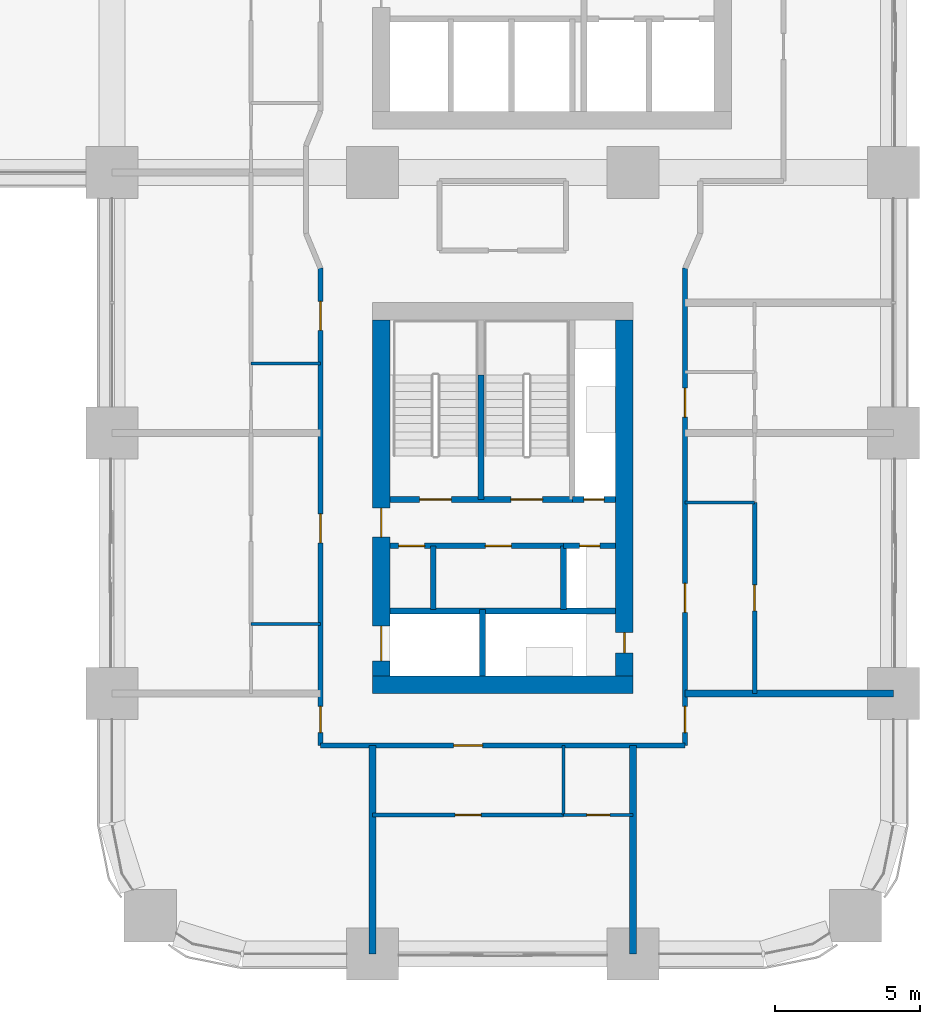
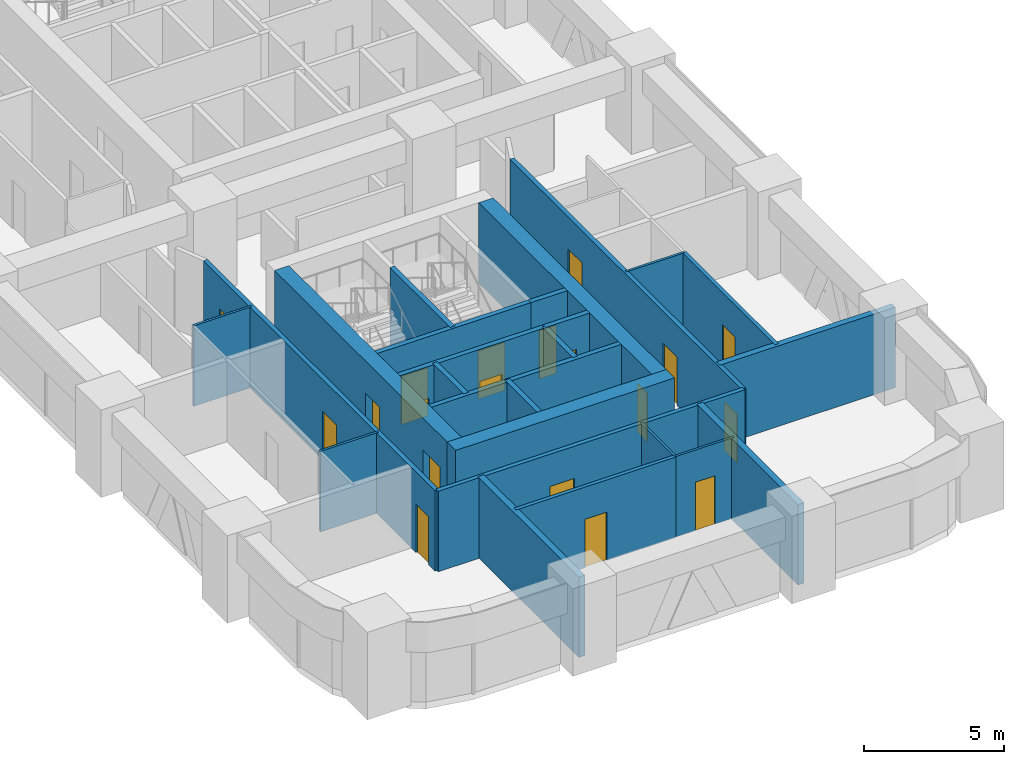
# One storey, part 12 of 26: 25 walls, 19 doors, 19 openings.
"""IFC4 building model written with IfcOpenShell, lengths in metres."""

from ifc_helpers import new_model, si_unit, direction, frame, frame_2d, origin, place, context, subcontext, project, spatial, rectangle, extrude, material, layer, layer_set, type_object, element, fill, save


model = new_model("IFC4")

# Units and contexts
model_context = context("Model", 3, precision=1e-05, world=origin(), true_north=direction((0.0, 1.0)))
body_context = subcontext(model_context, "Body", "Model", "MODEL_VIEW")
ifc_project = project(units=[si_unit("LENGTHUNIT", "METRE"), si_unit("AREAUNIT", "SQUARE_METRE"), si_unit("VOLUMEUNIT", "CUBIC_METRE"), si_unit("PLANEANGLEUNIT", "RADIAN"), si_unit("MASSUNIT", "GRAM", prefix="KILO")], contexts=[model_context])

# Site, building, storey
site_placement = place(None, origin())
site = spatial("IfcSite", under=ifc_project, at=site_placement, CompositionType="ELEMENT")
building_placement = place(site_placement, origin())
building = spatial("IfcBuilding", under=site, at=building_placement, Name="Tessera Arch", CompositionType="ELEMENT")
storey_placement = place(building_placement, frame((0.0, 0.0, 96.800048828125)))
storey = spatial("IfcBuildingStorey", under=building, at=storey_placement, Name="L22", CompositionType="ELEMENT", Elevation=96.800048828125)

# Wall
ifc_material_1 = material(Name="Gypsum board on steel stud", Category="steel")
ifc_layer_1 = layer(ifc_material_1, 0.125)
ifc_layer_set_1 = layer_set([ifc_layer_1], Name="Core partition 125 EI 60")
wall_type_1 = type_object("IfcWallType", Name="Core partition 125 EI 60", PredefinedType="PARTITIONING", material=ifc_layer_set_1)
wall_1_placement = place(storey_placement, frame((38.10009765625, 11.89990234375, 0.0), z_axis=(0.0, 0.0, 1.0), x_axis=(0.0, 1.0, 0.0)))
element("IfcWall", 1, at=wall_1_placement, inside=storey, type_object=wall_type_1, Name="L22 C3 partition wall 1", PredefinedType="PARTITIONING", context=body_context, shape_type="SweptSolid", body=[
    extrude(rectangle(XDim=2.2001953125, YDim=0.199951171875, at=frame_2d((1.10009765625, 0.0))), origin(), (0.0, 0.0, 1.0), 3.5),
])

# Wall, openings, doors
wall_2_placement = place(storey_placement, frame((36.60009765625, 14.10009765625, 0.0), z_axis=(0.0, 0.0, 1.0), x_axis=(1.0, 0.0, 0.0)))
wall_2 = element("IfcWall", 2, at=wall_2_placement, inside=storey, type_object=wall_type_1, Name="L22 C3 partition wall 9", PredefinedType="PARTITIONING", context=body_context, shape_type="SweptSolid", body=[
    extrude(rectangle(XDim=6.0, YDim=0.199951171875, at=frame_2d((3.0, 0.0))), origin(), (0.0, 0.0, 1.0), 3.5),
])
opening_1_placement = place(wall_2_placement, frame((0.300048828125, 0.0, 0.0)))
opening_1 = element("IfcOpeningElement", 3, at=opening_1_placement, cuts=wall_2, Name="Opening L22-C38", PredefinedType="OPENING", context=body_context, shape_type="SweptSolid", body=[
    extrude(rectangle(XDim=0.89990234375, YDim=2.10009765625, at=frame_2d((0.449951171875, 1.050048828125))), frame((0.0, 0.10986328125, 0.0), z_axis=(0.0, -1.0, 0.0), x_axis=(1.0, 0.0, 0.0)), (0.0, 0.0, 1.0), 0.219970703125),
])
opening_2_placement = place(wall_2_placement, frame((3.300048828125, 0.0, 0.0)))
opening_2 = element("IfcOpeningElement", 4, at=opening_2_placement, cuts=wall_2, Name="Opening L22-C39", PredefinedType="OPENING", context=body_context, shape_type="SweptSolid", body=[
    extrude(rectangle(XDim=0.89990234375, YDim=2.10009765625, at=frame_2d((0.449951171875, 1.050048828125))), frame((0.0, 0.10986328125, 0.0), z_axis=(0.0, -1.0, 0.0), x_axis=(1.0, 0.0, 0.0)), (0.0, 0.0, 1.0), 0.219970703125),
])
ifc_material_2 = material(Name="Steel door leaf", Category="steel")
door_type_1 = type_object("IfcDoorType", Name="Store door FD30S 900 x 2100", OperationType="SINGLE_SWING_LEFT", PredefinedType="DOOR", material=ifc_material_2)
door_1_placement = place(opening_1_placement, origin())
door_1 = element("IfcDoor", 5, at=door_1_placement, inside=storey, type_object=door_type_1, Name="L22 C3 door 8 C38 type D09", OperationType="SINGLE_SWING_LEFT", OverallHeight=2.10009765625, OverallWidth=0.89990234375, PredefinedType="DOOR", context=body_context, shape_type="SweptSolid", body=[
    extrude(rectangle(XDim=0.89990234375, YDim=2.10009765625, at=frame_2d((0.449951171875, 1.050048828125))), frame((0.0, 0.02490234375, 0.0), z_axis=(0.0, -1.0, 0.0), x_axis=(1.0, 0.0, 0.0)), (0.0, 0.0, 1.0), 0.050048828125),
])
fill(opening_1, door_1)
door_2_placement = place(opening_2_placement, origin())
door_2 = element("IfcDoor", 6, at=door_2_placement, inside=storey, type_object=door_type_1, Name="L22 C3 door 9 C39 type D09", OperationType="SINGLE_SWING_RIGHT", OverallHeight=2.10009765625, OverallWidth=0.89990234375, PredefinedType="DOOR", context=body_context, shape_type="SweptSolid", body=[
    extrude(rectangle(XDim=0.89990234375, YDim=2.10009765625, at=frame_2d((0.449951171875, 1.050048828125))), frame((0.0, 0.02490234375, 0.0), z_axis=(0.0, -1.0, 0.0), x_axis=(1.0, 0.0, 0.0)), (0.0, 0.0, 1.0), 0.050048828125),
])
fill(opening_2, door_2)

# Wall
ifc_material_3 = material(Name="Concrete C70/85", Category="concrete")
ifc_layer_2 = layer(ifc_material_3, 0.60009765625)
ifc_layer_set_2 = layer_set([ifc_layer_2], Name="Core shell wall 600 C70-85")
wall_type_2 = type_object("IfcWallType", Name="Core shell wall 600 C70-85", PredefinedType="SHEAR", material=ifc_layer_set_2)
wall_3_placement = place(storey_placement, frame((36.0, 9.300048828125, 0.0), z_axis=(0.0, 0.0, 1.0), x_axis=(1.0, 0.0, 0.0)))
element("IfcWall", 7, at=wall_3_placement, inside=storey, type_object=wall_type_2, Name="L22 C3 core wall S", PredefinedType="SHEAR", context=body_context, shape_type="SweptSolid", body=[
    extrude(rectangle(XDim=9.0, YDim=0.60009765625, at=frame_2d((4.5, 0.0))), origin(), (0.0, 0.0, 1.0), 3.5),
])

# Wall, openings, doors
wall_4_placement = place(storey_placement, frame((36.300048828125, 9.60009765625, 0.0), z_axis=(0.0, 0.0, 1.0), x_axis=(0.0, 1.0, 0.0)))
wall_4 = element("IfcWall", 8, at=wall_4_placement, inside=storey, type_object=wall_type_2, Name="L22 C3 core wall W", PredefinedType="SHEAR", context=body_context, shape_type="SweptSolid", body=[
    extrude(rectangle(XDim=12.2998046875, YDim=0.60009765625, at=frame_2d((6.14990234375, 0.0))), origin(), (0.0, 0.0, 1.0), 3.5),
])
opening_3_placement = place(wall_4_placement, frame((0.52490234375, 0.0, 0.0)))
opening_3 = element("IfcOpeningElement", 9, at=opening_3_placement, cuts=wall_4, Name="Opening L22-C31", PredefinedType="OPENING", context=body_context, shape_type="SweptSolid", body=[
    extrude(rectangle(XDim=1.199951171875, YDim=2.10009765625, at=frame_2d((0.60009765625, 1.050048828125))), frame((0.0, 0.31005859375, 0.0), z_axis=(0.0, -1.0, 0.0), x_axis=(1.0, 0.0, 0.0)), (0.0, 0.0, 1.0), 0.6201171875),
])
opening_4_placement = place(wall_4_placement, frame((4.800048828125, 0.0, 0.0)))
opening_4 = element("IfcOpeningElement", 10, at=opening_4_placement, cuts=wall_4, Name="Opening L22-C37", PredefinedType="OPENING", context=body_context, shape_type="SweptSolid", body=[
    extrude(rectangle(XDim=1.0, YDim=2.10009765625, at=frame_2d((0.5, 1.050048828125))), frame((0.0, 0.31005859375, 0.0), z_axis=(0.0, -1.0, 0.0), x_axis=(1.0, 0.0, 0.0)), (0.0, 0.0, 1.0), 0.6201171875),
])
ifc_material_4 = material(Name="Steel door leaf", Category="steel")
door_type_2 = type_object("IfcDoorType", Name="Corridor door FD60 1000 x 2100", OperationType="SINGLE_SWING_LEFT", PredefinedType="DOOR", material=ifc_material_4)
door_3_placement = place(opening_4_placement, origin())
door_3 = element("IfcDoor", 11, at=door_3_placement, inside=storey, type_object=door_type_2, Name="L22 C3 door 7 C37 type D12", OperationType="SINGLE_SWING_LEFT", OverallHeight=2.10009765625, OverallWidth=1.0, PredefinedType="DOOR", context=body_context, shape_type="SweptSolid", body=[
    extrude(rectangle(XDim=1.0, YDim=2.10009765625, at=frame_2d((0.5, 1.050048828125))), frame((0.0, 0.02490234375, 0.0), z_axis=(0.0, -1.0, 0.0), x_axis=(1.0, 0.0, 0.0)), (0.0, 0.0, 1.0), 0.050048828125),
])
fill(opening_4, door_3)
ifc_material_5 = material(Name="Stainless steel AISI 304", Category="steel")
door_type_3 = type_object("IfcDoorType", Name="Sliding landing door 1200 x 2100", OperationType="SLIDING_TO_LEFT", PredefinedType="DOOR", material=ifc_material_5)
door_4_placement = place(opening_3_placement, origin())
door_4 = element("IfcDoor", 12, at=door_4_placement, inside=storey, type_object=door_type_3, Name="L22 SV1 lift landing door C31 type LD", OperationType="SLIDING_TO_LEFT", OverallHeight=2.10009765625, OverallWidth=1.199951171875, PredefinedType="DOOR", context=body_context, shape_type="SweptSolid", body=[
    extrude(rectangle(XDim=1.199951171875, YDim=2.10009765625, at=frame_2d((0.60009765625, 1.050048828125))), frame((0.0, 0.02490234375, 0.0), z_axis=(0.0, -1.0, 0.0), x_axis=(1.0, 0.0, 0.0)), (0.0, 0.0, 1.0), 0.050048828125),
])
fill(opening_3, door_4)

# Wall, opening, door
wall_5_placement = place(storey_placement, frame((44.699951171875, 9.60009765625, 0.0), z_axis=(0.0, 0.0, 1.0), x_axis=(0.0, 1.0, 0.0)))
wall_5 = element("IfcWall", 13, at=wall_5_placement, inside=storey, type_object=wall_type_2, Name="L22 C3 core wall E", PredefinedType="SHEAR", context=body_context, shape_type="SweptSolid", body=[
    extrude(rectangle(XDim=12.2998046875, YDim=0.60009765625, at=frame_2d((6.14990234375, 0.0))), origin(), (0.0, 0.0, 1.0), 3.5),
])
opening_5_placement = place(wall_5_placement, frame((0.800048828125, 0.0, 0.0)))
opening_5 = element("IfcOpeningElement", 14, at=opening_5_placement, cuts=wall_5, Name="Opening L22-C36", PredefinedType="OPENING", context=body_context, shape_type="SweptSolid", body=[
    extrude(rectangle(XDim=0.699951171875, YDim=2.10009765625, at=frame_2d((0.35009765625, 1.050048828125))), frame((0.0, 0.31005859375, 0.0), z_axis=(0.0, -1.0, 0.0), x_axis=(1.0, 0.0, 0.0)), (0.0, 0.0, 1.0), 0.6201171875),
])
ifc_material_6 = material(Name="Steel door leaf", Category="steel")
door_type_4 = type_object("IfcDoorType", Name="Service shaft door FD60 700 x 2100", OperationType="SINGLE_SWING_LEFT", PredefinedType="DOOR", material=ifc_material_6)
door_5_placement = place(opening_5_placement, origin())
door_5 = element("IfcDoor", 15, at=door_5_placement, inside=storey, type_object=door_type_4, Name="L22 C3 door 6 C36 type D07", OperationType="SINGLE_SWING_LEFT", OverallHeight=2.10009765625, OverallWidth=0.699951171875, PredefinedType="DOOR", context=body_context, shape_type="SweptSolid", body=[
    extrude(rectangle(XDim=0.699951171875, YDim=2.10009765625, at=frame_2d((0.35009765625, 1.050048828125))), frame((0.0, 0.02490234375, 0.0), z_axis=(0.0, -1.0, 0.0), x_axis=(1.0, 0.0, 0.0)), (0.0, 0.0, 1.0), 0.050048828125),
])
fill(opening_5, door_5)

ifc_material_7 = material(Name="Gypsum board on deep steel stud with mineral wool", Category="steel")
ifc_layer_3 = layer(ifc_material_7, 0.175048828125)
ifc_layer_set_3 = layer_set([ifc_layer_3], Name="Corridor wall 175 EI 60")
wall_type_3 = type_object("IfcWallType", Name="Corridor wall 175 EI 60", PredefinedType="PARTITIONING", material=ifc_layer_set_3)
wall_6_placement = place(storey_placement, frame((34.199951171875, 7.199951171875, 0.0), z_axis=(0.0, 0.0, 1.0), x_axis=(1.0, 0.0, 0.0)))
wall_6 = element("IfcWall", 16, at=wall_6_placement, inside=storey, type_object=wall_type_3, Name="L22 partition 1", PredefinedType="PARTITIONING", context=body_context, shape_type="SweptSolid", body=[
    extrude(rectangle(XDim=12.60009765625, YDim=0.175048828125, at=frame_2d((6.300048828125, 0.0))), origin(), (0.0, 0.0, 1.0), 3.5),
])
opening_6_placement = place(wall_6_placement, frame((4.60009765625, 0.0, 0.0)))
opening_6 = element("IfcOpeningElement", 17, at=opening_6_placement, cuts=wall_6, Name="Opening L22-D001", PredefinedType="OPENING", context=body_context, shape_type="SweptSolid", body=[
    extrude(rectangle(XDim=1.0, YDim=2.10009765625, at=frame_2d((0.5, 1.050048828125))), frame((0.0, 0.097412109375, 0.0), z_axis=(0.0, -1.0, 0.0), x_axis=(1.0, 0.0, 0.0)), (0.0, 0.0, 1.0), 0.195068359375),
])
ifc_material_8 = material(Name="Fire-rated door leaf")
door_type_5 = type_object("IfcDoorType", Name="Entrance door FD30S 1000 x 2100", OperationType="SINGLE_SWING_LEFT", PredefinedType="DOOR", material=ifc_material_8)
door_6_placement = place(opening_6_placement, origin())
door_6 = element("IfcDoor", 18, at=door_6_placement, inside=storey, type_object=door_type_5, Name="L22 door D001 type D03", OperationType="SINGLE_SWING_RIGHT", OverallHeight=2.10009765625, OverallWidth=1.0, PredefinedType="DOOR", context=body_context, shape_type="SweptSolid", body=[
    extrude(rectangle(XDim=1.0, YDim=2.10009765625, at=frame_2d((0.5, 1.050048828125))), frame((0.0, 0.02490234375, 0.0), z_axis=(0.0, -1.0, 0.0), x_axis=(1.0, 0.0, 0.0)), (0.0, 0.0, 1.0), 0.050048828125),
])
fill(opening_6, door_6)

# Wall, openings, doors
wall_7_placement = place(storey_placement, frame((34.199951171875, 7.199951171875, 0.0), z_axis=(0.0, 0.0, 1.0), x_axis=(0.0, 1.0, 0.0)))
wall_7 = element("IfcWall", 19, at=wall_7_placement, inside=storey, type_object=wall_type_3, Name="L22 partition 12", PredefinedType="PARTITIONING", context=body_context, shape_type="SweptSolid", body=[
    extrude(rectangle(XDim=16.489990234375, YDim=0.175048828125, at=frame_2d((8.2451171875, 0.0))), origin(), (0.0, 0.0, 1.0), 3.5),
])
opening_7_placement = place(wall_7_placement, frame((0.449951171875, 0.0, 0.0)))
opening_7 = element("IfcOpeningElement", 20, at=opening_7_placement, cuts=wall_7, Name="Opening L22-D004", PredefinedType="OPENING", context=body_context, shape_type="SweptSolid", body=[
    extrude(rectangle(XDim=0.89990234375, YDim=2.10009765625, at=frame_2d((0.449951171875, 1.050048828125))), frame((0.0, 0.097412109375, 0.0), z_axis=(0.0, -1.0, 0.0), x_axis=(1.0, 0.0, 0.0)), (0.0, 0.0, 1.0), 0.195068359375),
])
opening_8_placement = place(wall_7_placement, frame((7.0, 0.0, 0.0)))
opening_8 = element("IfcOpeningElement", 21, at=opening_8_placement, cuts=wall_7, Name="Opening L22-D006", PredefinedType="OPENING", context=body_context, shape_type="SweptSolid", body=[
    extrude(rectangle(XDim=1.0, YDim=2.10009765625, at=frame_2d((0.5, 1.050048828125))), frame((0.0, 0.097412109375, 0.0), z_axis=(0.0, -1.0, 0.0), x_axis=(1.0, 0.0, 0.0)), (0.0, 0.0, 1.0), 0.195068359375),
])
opening_9_placement = place(wall_7_placement, frame((14.344970703125, 0.0, 0.0)))
opening_9 = element("IfcOpeningElement", 22, at=opening_9_placement, cuts=wall_7, Name="Opening L22-D015", PredefinedType="OPENING", context=body_context, shape_type="SweptSolid", body=[
    extrude(rectangle(XDim=1.0, YDim=2.10009765625, at=frame_2d((0.5, 1.050048828125))), frame((0.0, 0.097412109375, 0.0), z_axis=(0.0, -1.0, 0.0), x_axis=(1.0, 0.0, 0.0)), (0.0, 0.0, 1.0), 0.195068359375),
])
door_7_placement = place(opening_8_placement, origin())
door_7 = element("IfcDoor", 23, at=door_7_placement, inside=storey, type_object=door_type_5, Name="L22 door D006 type D03", OperationType="SINGLE_SWING_RIGHT", OverallHeight=2.10009765625, OverallWidth=1.0, PredefinedType="DOOR", context=body_context, shape_type="SweptSolid", body=[
    extrude(rectangle(XDim=1.0, YDim=2.10009765625, at=frame_2d((0.5, 1.050048828125))), frame((0.0, 0.02490234375, 0.0), z_axis=(0.0, -1.0, 0.0), x_axis=(1.0, 0.0, 0.0)), (0.0, 0.0, 1.0), 0.050048828125),
])
fill(opening_8, door_7)
door_8_placement = place(opening_9_placement, origin())
door_8 = element("IfcDoor", 24, at=door_8_placement, inside=storey, type_object=door_type_5, Name="L22 door D015 type D03", OperationType="SINGLE_SWING_LEFT", OverallHeight=2.10009765625, OverallWidth=1.0, PredefinedType="DOOR", context=body_context, shape_type="SweptSolid", body=[
    extrude(rectangle(XDim=1.0, YDim=2.10009765625, at=frame_2d((0.5, 1.050048828125))), frame((0.0, 0.02490234375, 0.0), z_axis=(0.0, -1.0, 0.0), x_axis=(1.0, 0.0, 0.0)), (0.0, 0.0, 1.0), 0.050048828125),
])
fill(opening_9, door_8)
ifc_material_9 = material(Name="Timber door leaf", Category="wood")
door_type_6 = type_object("IfcDoorType", Name="Room door 900 x 2100", OperationType="SINGLE_SWING_LEFT", PredefinedType="DOOR", material=ifc_material_9)
door_9_placement = place(opening_7_placement, origin())
door_9 = element("IfcDoor", 25, at=door_9_placement, inside=storey, type_object=door_type_6, Name="L22 door D004 type D01", OperationType="SINGLE_SWING_RIGHT", OverallHeight=2.10009765625, OverallWidth=0.89990234375, PredefinedType="DOOR", context=body_context, shape_type="SweptSolid", body=[
    extrude(rectangle(XDim=0.89990234375, YDim=2.10009765625, at=frame_2d((0.449951171875, 1.050048828125))), frame((0.0, 0.02490234375, 0.0), z_axis=(0.0, -1.0, 0.0), x_axis=(1.0, 0.0, 0.0)), (0.0, 0.0, 1.0), 0.050048828125),
])
fill(opening_7, door_9)

wall_8_placement = place(storey_placement, frame((46.800048828125, 7.199951171875, 0.0), z_axis=(0.0, 0.0, 1.0), x_axis=(0.0, 1.0, 0.0)))
wall_8 = element("IfcWall", 26, at=wall_8_placement, inside=storey, type_object=wall_type_3, Name="L22 partition 16", PredefinedType="PARTITIONING", context=body_context, shape_type="SweptSolid", body=[
    extrude(rectangle(XDim=16.489990234375, YDim=0.175048828125, at=frame_2d((8.2451171875, 0.0))), origin(), (0.0, 0.0, 1.0), 3.5),
])
opening_10_placement = place(wall_8_placement, frame((0.449951171875, 0.0, 0.0)))
opening_10 = element("IfcOpeningElement", 27, at=opening_10_placement, cuts=wall_8, Name="Opening L22-D005", PredefinedType="OPENING", context=body_context, shape_type="SweptSolid", body=[
    extrude(rectangle(XDim=0.89990234375, YDim=2.10009765625, at=frame_2d((0.449951171875, 1.050048828125))), frame((0.0, 0.097412109375, 0.0), z_axis=(0.0, -1.0, 0.0), x_axis=(1.0, 0.0, 0.0)), (0.0, 0.0, 1.0), 0.195068359375),
])
opening_11_placement = place(wall_8_placement, frame((4.60009765625, 0.0, 0.0)))
opening_11 = element("IfcOpeningElement", 28, at=opening_11_placement, cuts=wall_8, Name="Opening L22-D009", PredefinedType="OPENING", context=body_context, shape_type="SweptSolid", body=[
    extrude(rectangle(XDim=1.0, YDim=2.10009765625, at=frame_2d((0.5, 1.050048828125))), frame((0.0, 0.097412109375, 0.0), z_axis=(0.0, -1.0, 0.0), x_axis=(1.0, 0.0, 0.0)), (0.0, 0.0, 1.0), 0.195068359375),
])
opening_12_placement = place(wall_8_placement, frame((11.35009765625, 0.0, 0.0)))
opening_12 = element("IfcOpeningElement", 29, at=opening_12_placement, cuts=wall_8, Name="Opening L22-D012", PredefinedType="OPENING", context=body_context, shape_type="SweptSolid", body=[
    extrude(rectangle(XDim=1.0, YDim=2.10009765625, at=frame_2d((0.5, 1.050048828125))), frame((0.0, 0.097412109375, 0.0), z_axis=(0.0, -1.0, 0.0), x_axis=(1.0, 0.0, 0.0)), (0.0, 0.0, 1.0), 0.195068359375),
])
door_10_placement = place(opening_11_placement, origin())
door_10 = element("IfcDoor", 30, at=door_10_placement, inside=storey, type_object=door_type_5, Name="L22 door D009 type D03", OperationType="SINGLE_SWING_RIGHT", OverallHeight=2.10009765625, OverallWidth=1.0, PredefinedType="DOOR", context=body_context, shape_type="SweptSolid", body=[
    extrude(rectangle(XDim=1.0, YDim=2.10009765625, at=frame_2d((0.5, 1.050048828125))), frame((0.0, 0.02490234375, 0.0), z_axis=(0.0, -1.0, 0.0), x_axis=(1.0, 0.0, 0.0)), (0.0, 0.0, 1.0), 0.050048828125),
])
fill(opening_11, door_10)
door_11_placement = place(opening_12_placement, origin())
door_11 = element("IfcDoor", 31, at=door_11_placement, inside=storey, type_object=door_type_5, Name="L22 door D012 type D03", OperationType="SINGLE_SWING_LEFT", OverallHeight=2.10009765625, OverallWidth=1.0, PredefinedType="DOOR", context=body_context, shape_type="SweptSolid", body=[
    extrude(rectangle(XDim=1.0, YDim=2.10009765625, at=frame_2d((0.5, 1.050048828125))), frame((0.0, 0.02490234375, 0.0), z_axis=(0.0, -1.0, 0.0), x_axis=(1.0, 0.0, 0.0)), (0.0, 0.0, 1.0), 0.050048828125),
])
fill(opening_12, door_11)
door_12_placement = place(opening_10_placement, origin())
door_12 = element("IfcDoor", 32, at=door_12_placement, inside=storey, type_object=door_type_6, Name="L22 door D005 type D01", OperationType="SINGLE_SWING_RIGHT", OverallHeight=2.10009765625, OverallWidth=0.89990234375, PredefinedType="DOOR", context=body_context, shape_type="SweptSolid", body=[
    extrude(rectangle(XDim=0.89990234375, YDim=2.10009765625, at=frame_2d((0.449951171875, 1.050048828125))), frame((0.0, 0.02490234375, 0.0), z_axis=(0.0, -1.0, 0.0), x_axis=(1.0, 0.0, 0.0)), (0.0, 0.0, 1.0), 0.050048828125),
])
fill(opening_10, door_12)

# Wall, opening, door
ifc_material_10 = material(Name="Gypsum board on steel stud", Category="steel")
ifc_layer_4 = layer(ifc_material_10, 0.14990234375)
ifc_layer_set_4 = layer_set([ifc_layer_4], Name="Partition 150")
wall_type_4 = type_object("IfcWallType", Name="Partition 150", PredefinedType="PARTITIONING", material=ifc_layer_set_4)
wall_9_placement = place(storey_placement, frame((36.0, 4.800048828125, 0.0), z_axis=(0.0, 0.0, 1.0), x_axis=(1.0, 0.0, 0.0)))
wall_9 = element("IfcWall", 33, at=wall_9_placement, inside=storey, type_object=wall_type_4, Name="L22 partition 19", PredefinedType="PARTITIONING", context=body_context, shape_type="SweptSolid", body=[
    extrude(rectangle(XDim=6.60009765625, YDim=0.14990234375, at=frame_2d((3.300048828125, 0.0))), origin(), (0.0, 0.0, 1.0), 3.5),
])
opening_13_placement = place(wall_9_placement, frame((2.85009765625, 0.0, 0.0)))
opening_13 = element("IfcOpeningElement", 34, at=opening_13_placement, cuts=wall_9, Name="Opening L22-D002", PredefinedType="OPENING", context=body_context, shape_type="SweptSolid", body=[
    extrude(rectangle(XDim=0.89990234375, YDim=2.10009765625, at=frame_2d((0.449951171875, 1.050048828125))), frame((0.0, 0.0849609375, 0.0), z_axis=(0.0, -1.0, 0.0), x_axis=(1.0, 0.0, 0.0)), (0.0, 0.0, 1.0), 0.169921875),
])
door_13_placement = place(opening_13_placement, origin())
door_13 = element("IfcDoor", 35, at=door_13_placement, inside=storey, type_object=door_type_6, Name="L22 door D002 type D01", OperationType="SINGLE_SWING_LEFT", OverallHeight=2.10009765625, OverallWidth=0.89990234375, PredefinedType="DOOR", context=body_context, shape_type="SweptSolid", body=[
    extrude(rectangle(XDim=0.89990234375, YDim=2.10009765625, at=frame_2d((0.449951171875, 1.050048828125))), frame((0.0, 0.02490234375, 0.0), z_axis=(0.0, -1.0, 0.0), x_axis=(1.0, 0.0, 0.0)), (0.0, 0.0, 1.0), 0.050048828125),
])
fill(opening_13, door_13)

wall_10_placement = place(storey_placement, frame((49.199951171875, 9.0, 0.0), z_axis=(0.0, 0.0, 1.0), x_axis=(0.0, 1.0, 0.0)))
wall_10 = element("IfcWall", 36, at=wall_10_placement, inside=storey, type_object=wall_type_4, Name="L22 partition 23", PredefinedType="PARTITIONING", context=body_context, shape_type="SweptSolid", body=[
    extrude(rectangle(XDim=6.60009765625, YDim=0.14990234375, at=frame_2d((3.300048828125, 0.0))), origin(), (0.0, 0.0, 1.0), 3.5),
])
opening_14_placement = place(wall_10_placement, frame((2.85009765625, 0.0, 0.0)))
opening_14 = element("IfcOpeningElement", 37, at=opening_14_placement, cuts=wall_10, Name="Opening L22-D010", PredefinedType="OPENING", context=body_context, shape_type="SweptSolid", body=[
    extrude(rectangle(XDim=0.89990234375, YDim=2.10009765625, at=frame_2d((0.449951171875, 1.050048828125))), frame((0.0, 0.0849609375, 0.0), z_axis=(0.0, -1.0, 0.0), x_axis=(1.0, 0.0, 0.0)), (0.0, 0.0, 1.0), 0.169921875),
])
door_14_placement = place(opening_14_placement, origin())
door_14 = element("IfcDoor", 38, at=door_14_placement, inside=storey, type_object=door_type_6, Name="L22 door D010 type D01", OperationType="SINGLE_SWING_LEFT", OverallHeight=2.10009765625, OverallWidth=0.89990234375, PredefinedType="DOOR", context=body_context, shape_type="SweptSolid", body=[
    extrude(rectangle(XDim=0.89990234375, YDim=2.10009765625, at=frame_2d((0.449951171875, 1.050048828125))), frame((0.0, 0.02490234375, 0.0), z_axis=(0.0, -1.0, 0.0), x_axis=(1.0, 0.0, 0.0)), (0.0, 0.0, 1.0), 0.050048828125),
])
fill(opening_14, door_14)

# Walls
ifc_material_11 = material(Name="Double gypsum board on twin steel stud with acoustic mineral wool", Category="steel")
ifc_layer_5 = layer(ifc_material_11, 0.25)
ifc_layer_set_5 = layer_set([ifc_layer_5], Name="Party wall 250 EI 60")
wall_type_5 = type_object("IfcWallType", Name="Party wall 250 EI 60", PredefinedType="PARTITIONING", material=ifc_layer_set_5)
for number, where, z_axis, x_axis, name in (
    (39, (46.800048828125, 9.0, 0.0), (0.0, 0.0, 1.0), (1.0, 0.0, 0.0), "L22 partition 26"),
    (40, (36.0, 0.0, 0.0), (0.0, 0.0, 1.0), (0.0, 1.0, 0.0), "L22 partition 44"),
    (41, (45.0, 0.0, 0.0), (0.0, 0.0, 1.0), (0.0, 1.0, 0.0), "L22 partition 46"),
):
    element("IfcWall", number, at=place(storey_placement, frame(where, z_axis=z_axis, x_axis=x_axis)), inside=storey, type_object=wall_type_5, Name=name, PredefinedType="PARTITIONING", context=body_context, shape_type="SweptSolid", body=[
        extrude(rectangle(XDim=7.199951171875, YDim=0.25, at=frame_2d((3.60009765625, 0.0))), origin(), (0.0, 0.0, 1.0), 3.5),
    ])
ifc_material_12 = material(Name="Concrete C40/50", Category="concrete")
ifc_layer_6 = layer(ifc_material_12, 0.199951171875)
ifc_layer_set_6 = layer_set([ifc_layer_6], Name="Shaft wall 200 EI 120")
wall_type_6 = type_object("IfcWallType", Name="Shaft wall 200 EI 120", PredefinedType="SOLIDWALL", material=ifc_layer_set_6)
wall_11_placement = place(storey_placement, frame((39.800048828125, 9.60009765625, 0.0), z_axis=(0.0, 0.0, 1.0), x_axis=(0.0, 1.0, 0.0)))
element("IfcWall", 42, at=wall_11_placement, inside=storey, type_object=wall_type_6, Name="L22 C3 shaft wall 4", PredefinedType="SOLIDWALL", context=body_context, shape_type="SweptSolid", body=[
    extrude(rectangle(XDim=2.2998046875, YDim=0.199951171875, at=frame_2d((1.14990234375, 0.0))), origin(), (0.0, 0.0, 1.0), 3.5),
])
wall_12_placement = place(storey_placement, frame((42.60009765625, 11.89990234375, 0.0), z_axis=(0.0, 0.0, 1.0), x_axis=(0.0, 1.0, 0.0)))
element("IfcWall", 43, at=wall_12_placement, inside=storey, type_object=wall_type_6, Name="L22 C3 shaft wall 5", PredefinedType="SOLIDWALL", context=body_context, shape_type="SweptSolid", body=[
    extrude(rectangle(XDim=2.2001953125, YDim=0.199951171875, at=frame_2d((1.10009765625, 0.0))), origin(), (0.0, 0.0, 1.0), 3.5),
])
wall_13_placement = place(storey_placement, frame((36.60009765625, 11.85009765625, 0.0), z_axis=(0.0, 0.0, 1.0), x_axis=(1.0, 0.0, 0.0)))
element("IfcWall", 44, at=wall_13_placement, inside=storey, type_object=wall_type_6, Name="L22 C3 shaft wall 8", PredefinedType="SOLIDWALL", context=body_context, shape_type="SweptSolid", body=[
    extrude(rectangle(XDim=7.7998046875, YDim=0.199951171875, at=frame_2d((3.89990234375, 0.0))), origin(), (0.0, 0.0, 1.0), 3.5),
])

# Wall, opening, door
wall_14_placement = place(storey_placement, frame((42.60009765625, 14.10009765625, 0.0), z_axis=(0.0, 0.0, 1.0), x_axis=(1.0, 0.0, 0.0)))
wall_14 = element("IfcWall", 45, at=wall_14_placement, inside=storey, type_object=wall_type_6, Name="L22 C3 shaft wall 10", PredefinedType="SOLIDWALL", context=body_context, shape_type="SweptSolid", body=[
    extrude(rectangle(XDim=1.7998046875, YDim=0.199951171875, at=frame_2d((0.89990234375, 0.0))), origin(), (0.0, 0.0, 1.0), 3.5),
])
opening_15_placement = place(wall_14_placement, frame((0.550048828125, 0.0, 0.0)))
opening_15 = element("IfcOpeningElement", 46, at=opening_15_placement, cuts=wall_14, Name="Opening L22-C35", PredefinedType="OPENING", context=body_context, shape_type="SweptSolid", body=[
    extrude(rectangle(XDim=0.699951171875, YDim=2.10009765625, at=frame_2d((0.35009765625, 1.050048828125))), frame((0.0, 0.10986328125, 0.0), z_axis=(0.0, -1.0, 0.0), x_axis=(1.0, 0.0, 0.0)), (0.0, 0.0, 1.0), 0.219970703125),
])
door_15_placement = place(opening_15_placement, origin())
door_15 = element("IfcDoor", 47, at=door_15_placement, inside=storey, type_object=door_type_4, Name="L22 C3 door 5 C35 type D07", OperationType="SINGLE_SWING_RIGHT", OverallHeight=2.10009765625, OverallWidth=0.699951171875, PredefinedType="DOOR", context=body_context, shape_type="SweptSolid", body=[
    extrude(rectangle(XDim=0.699951171875, YDim=2.10009765625, at=frame_2d((0.35009765625, 1.050048828125))), frame((0.0, 0.02490234375, 0.0), z_axis=(0.0, -1.0, 0.0), x_axis=(1.0, 0.0, 0.0)), (0.0, 0.0, 1.0), 0.050048828125),
])
fill(opening_15, door_15)

wall_15_placement = place(storey_placement, frame((42.89990234375, 15.699951171875, 0.0), z_axis=(0.0, 0.0, 1.0), x_axis=(1.0, 0.0, 0.0)))
wall_15 = element("IfcWall", 48, at=wall_15_placement, inside=storey, type_object=wall_type_6, Name="L22 C3 shaft wall 11", PredefinedType="SOLIDWALL", context=body_context, shape_type="SweptSolid", body=[
    extrude(rectangle(XDim=1.5, YDim=0.199951171875, at=frame_2d((0.75, 0.0))), origin(), (0.0, 0.0, 1.0), 3.5),
])
opening_16_placement = place(wall_15_placement, frame((0.39990234375, 0.0, 0.0)))
opening_16 = element("IfcOpeningElement", 49, at=opening_16_placement, cuts=wall_15, Name="Opening L22-C34", PredefinedType="OPENING", context=body_context, shape_type="SweptSolid", body=[
    extrude(rectangle(XDim=0.699951171875, YDim=2.10009765625, at=frame_2d((0.35009765625, 1.050048828125))), frame((0.0, 0.10986328125, 0.0), z_axis=(0.0, -1.0, 0.0), x_axis=(1.0, 0.0, 0.0)), (0.0, 0.0, 1.0), 0.219970703125),
])
door_16_placement = place(opening_16_placement, origin())
door_16 = element("IfcDoor", 50, at=door_16_placement, inside=storey, type_object=door_type_4, Name="L22 C3 door 4 C34 type D07", OperationType="SINGLE_SWING_LEFT", OverallHeight=2.10009765625, OverallWidth=0.699951171875, PredefinedType="DOOR", context=body_context, shape_type="SweptSolid", body=[
    extrude(rectangle(XDim=0.699951171875, YDim=2.10009765625, at=frame_2d((0.35009765625, 1.050048828125))), frame((0.0, 0.02490234375, 0.0), z_axis=(0.0, -1.0, 0.0), x_axis=(1.0, 0.0, 0.0)), (0.0, 0.0, 1.0), 0.050048828125),
])
fill(opening_16, door_16)

# Wall
ifc_material_13 = material(Name="Concrete C40/50", Category="concrete")
ifc_layer_7 = layer(ifc_material_13, 0.199951171875)
ifc_layer_set_7 = layer_set([ifc_layer_7], Name="Stair well wall 200 REI 180")
wall_type_7 = type_object("IfcWallType", Name="Stair well wall 200 REI 180", PredefinedType="SOLIDWALL", material=ifc_layer_set_7)
wall_16_placement = place(storey_placement, frame((39.75, 15.699951171875, 0.0), z_axis=(0.0, 0.0, 1.0), x_axis=(0.0, 1.0, 0.0)))
element("IfcWall", 51, at=wall_16_placement, inside=storey, type_object=wall_type_7, Name="L22 C3 shaft wall 2", PredefinedType="SOLIDWALL", context=body_context, shape_type="SweptSolid", body=[
    extrude(rectangle(XDim=4.300048828125, YDim=0.199951171875, at=frame_2d((2.14990234375, 0.0))), origin(), (0.0, 0.0, 1.0), 3.5),
])

# Wall, openings, doors
wall_17_placement = place(storey_placement, frame((36.60009765625, 15.699951171875, 0.0), z_axis=(0.0, 0.0, 1.0), x_axis=(1.0, 0.0, 0.0)))
wall_17 = element("IfcWall", 52, at=wall_17_placement, inside=storey, type_object=wall_type_7, Name="L22 C3 shaft wall 12", PredefinedType="SOLIDWALL", context=body_context, shape_type="SweptSolid", body=[
    extrude(rectangle(XDim=6.2998046875, YDim=0.199951171875, at=frame_2d((3.14990234375, 0.0))), origin(), (0.0, 0.0, 1.0), 3.5),
])
opening_17_placement = place(wall_17_placement, frame((1.02490234375, 0.0, 0.0)))
opening_17 = element("IfcOpeningElement", 53, at=opening_17_placement, cuts=wall_17, Name="Opening L22-C32", PredefinedType="OPENING", context=body_context, shape_type="SweptSolid", body=[
    extrude(rectangle(XDim=1.10009765625, YDim=2.10009765625, at=frame_2d((0.550048828125, 1.050048828125))), frame((0.0, 0.10986328125, 0.0), z_axis=(0.0, -1.0, 0.0), x_axis=(1.0, 0.0, 0.0)), (0.0, 0.0, 1.0), 0.219970703125),
])
opening_18_placement = place(wall_17_placement, frame((4.175048828125, 0.0, 0.0)))
opening_18 = element("IfcOpeningElement", 54, at=opening_18_placement, cuts=wall_17, Name="Opening L22-C33", PredefinedType="OPENING", context=body_context, shape_type="SweptSolid", body=[
    extrude(rectangle(XDim=1.10009765625, YDim=2.10009765625, at=frame_2d((0.550048828125, 1.050048828125))), frame((0.0, 0.10986328125, 0.0), z_axis=(0.0, -1.0, 0.0), x_axis=(1.0, 0.0, 0.0)), (0.0, 0.0, 1.0), 0.219970703125),
])
ifc_material_14 = material(Name="Steel door leaf", Category="steel")
door_type_7 = type_object("IfcDoorType", Name="Stair door FD60 1100 x 2100", OperationType="SINGLE_SWING_LEFT", PredefinedType="DOOR", material=ifc_material_14)
door_17_placement = place(opening_17_placement, origin())
door_17 = element("IfcDoor", 55, at=door_17_placement, inside=storey, type_object=door_type_7, Name="L22 C3 door 2 C32 type D05", OperationType="SINGLE_SWING_LEFT", OverallHeight=2.10009765625, OverallWidth=1.10009765625, PredefinedType="DOOR", context=body_context, shape_type="SweptSolid", body=[
    extrude(rectangle(XDim=1.10009765625, YDim=2.10009765625, at=frame_2d((0.550048828125, 1.050048828125))), frame((0.0, 0.02490234375, 0.0), z_axis=(0.0, -1.0, 0.0), x_axis=(1.0, 0.0, 0.0)), (0.0, 0.0, 1.0), 0.050048828125),
])
fill(opening_17, door_17)
door_18_placement = place(opening_18_placement, origin())
door_18 = element("IfcDoor", 56, at=door_18_placement, inside=storey, type_object=door_type_7, Name="L22 C3 door 3 C33 type D05", OperationType="SINGLE_SWING_RIGHT", OverallHeight=2.10009765625, OverallWidth=1.10009765625, PredefinedType="DOOR", context=body_context, shape_type="SweptSolid", body=[
    extrude(rectangle(XDim=1.10009765625, YDim=2.10009765625, at=frame_2d((0.550048828125, 1.050048828125))), frame((0.0, 0.02490234375, 0.0), z_axis=(0.0, -1.0, 0.0), x_axis=(1.0, 0.0, 0.0)), (0.0, 0.0, 1.0), 0.050048828125),
])
fill(opening_18, door_18)

# Wall, opening, door
ifc_material_15 = material(Name="Moisture-resistant board on pre-plumbed steel stud", Category="steel")
ifc_layer_8 = layer(ifc_material_15, 0.10009765625)
ifc_layer_set_8 = layer_set([ifc_layer_8], Name="Wet wall 100")
wall_type_8 = type_object("IfcWallType", Name="Wet wall 100", PredefinedType="PARTITIONING", material=ifc_layer_set_8)
wall_18_placement = place(storey_placement, frame((42.60009765625, 4.800048828125, 0.0), z_axis=(0.0, 0.0, 1.0), x_axis=(1.0, 0.0, 0.0)))
wall_18 = element("IfcWall", 57, at=wall_18_placement, inside=storey, type_object=wall_type_8, Name="L22 partition 47", PredefinedType="PARTITIONING", context=body_context, shape_type="SweptSolid", body=[
    extrude(rectangle(XDim=2.39990234375, YDim=0.10009765625, at=frame_2d((1.199951171875, 0.0))), origin(), (0.0, 0.0, 1.0), 3.5),
])
opening_19_placement = place(wall_18_placement, frame((0.800048828125, 0.0, 0.0)))
opening_19 = element("IfcOpeningElement", 58, at=opening_19_placement, cuts=wall_18, Name="Opening L22-D003", PredefinedType="OPENING", context=body_context, shape_type="SweptSolid", body=[
    extrude(rectangle(XDim=0.800048828125, YDim=2.10009765625, at=frame_2d((0.39990234375, 1.050048828125))), frame((0.0, 0.06005859375, 0.0), z_axis=(0.0, -1.0, 0.0), x_axis=(1.0, 0.0, 0.0)), (0.0, 0.0, 1.0), 0.1201171875),
])
ifc_material_16 = material(Name="Timber door leaf", Category="wood")
door_type_8 = type_object("IfcDoorType", Name="En-suite door 800 x 2100", OperationType="SINGLE_SWING_LEFT", PredefinedType="DOOR", material=ifc_material_16)
door_19_placement = place(opening_19_placement, origin())
door_19 = element("IfcDoor", 59, at=door_19_placement, inside=storey, type_object=door_type_8, Name="L22 door D003 type D02", OperationType="SINGLE_SWING_RIGHT", OverallHeight=2.10009765625, OverallWidth=0.800048828125, PredefinedType="DOOR", context=body_context, shape_type="SweptSolid", body=[
    extrude(rectangle(XDim=0.800048828125, YDim=2.10009765625, at=frame_2d((0.39990234375, 1.050048828125))), frame((0.0, 0.02490234375, 0.0), z_axis=(0.0, -1.0, 0.0), x_axis=(1.0, 0.0, 0.0)), (0.0, 0.0, 1.0), 0.050048828125),
])
fill(opening_19, door_19)

# Walls
for number, where, z_axis, x_axis, name in (
    (60, (31.800048828125, 11.39990234375, 0.0), (0.0, 0.0, 1.0), (1.0, 0.0, 0.0), "L22 partition 48"),
    (61, (46.800048828125, 15.60009765625, 0.0), (0.0, 0.0, 1.0), (1.0, 0.0, 0.0), "L22 partition 49"),
    (62, (31.800048828125, 20.39990234375, 0.0), (0.0, 0.0, 1.0), (1.0, 0.0, 0.0), "L22 partition 51"),
    (63, (42.60009765625, 4.800048828125, 0.0), (0.0, 0.0, 1.0), (0.0, 1.0, 0.0), "L22 partition 56"),
):
    element("IfcWall", number, at=place(storey_placement, frame(where, z_axis=z_axis, x_axis=x_axis)), inside=storey, type_object=wall_type_8, Name=name, PredefinedType="PARTITIONING", context=body_context, shape_type="SweptSolid", body=[
        extrude(rectangle(XDim=2.39990234375, YDim=0.10009765625, at=frame_2d((1.199951171875, 0.0))), origin(), (0.0, 0.0, 1.0), 3.5),
    ])

save(model, "model.ifc")
